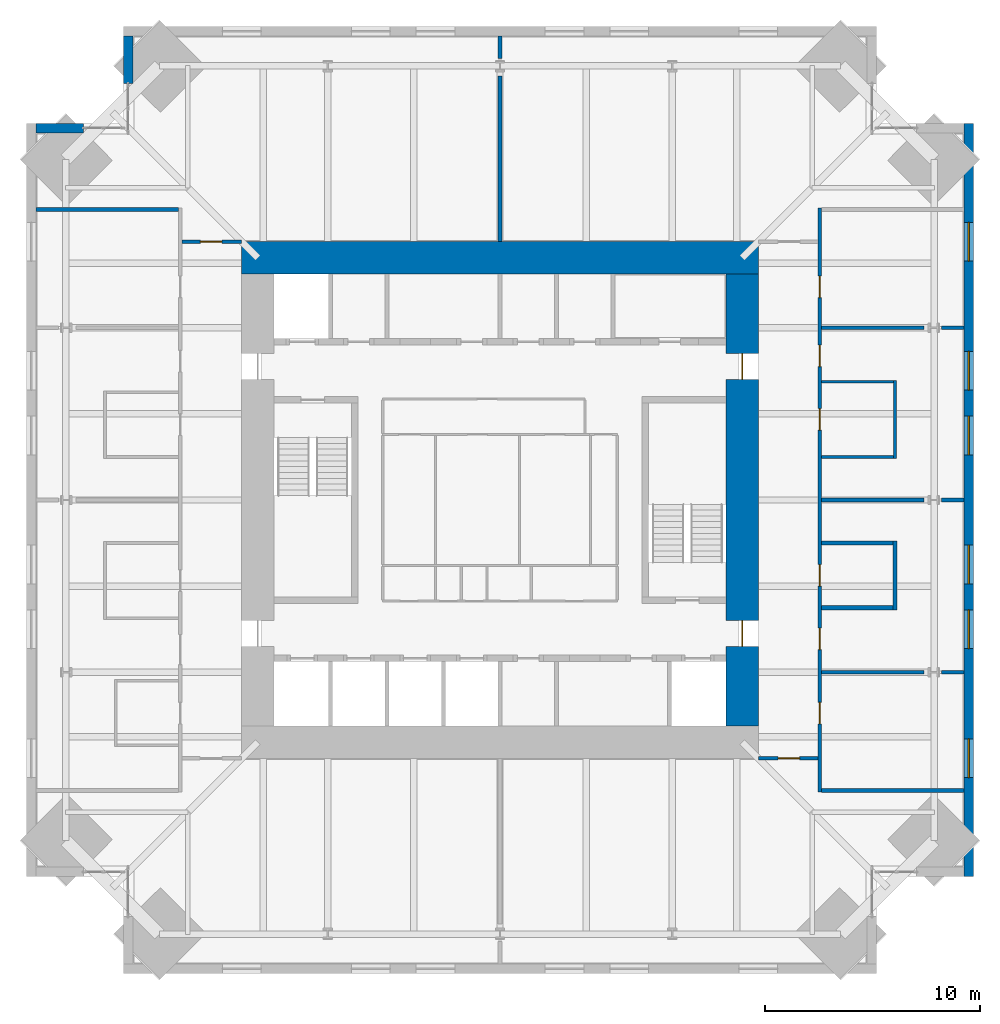
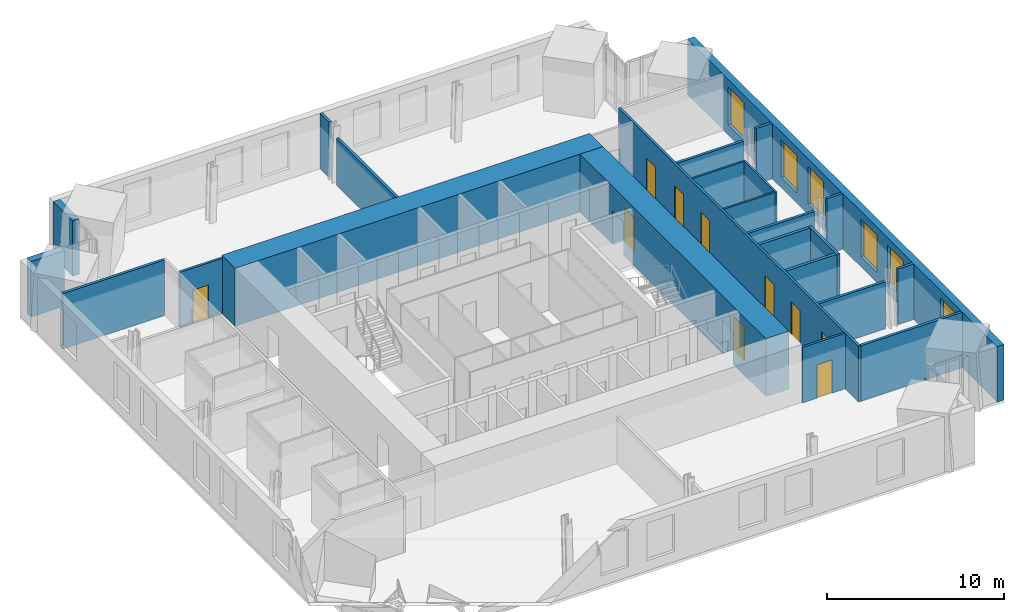
# One storey, part 14 of 16: 24 walls, 10 doors, 6 windows, 16 openings.
"""IFC4 building model written with IfcOpenShell, lengths in metres."""

from ifc_helpers import new_model, si_unit, direction, frame, frame_2d, origin, place, context, subcontext, project, spatial, rectangle, extrude, material, layer, layer_set, type_object, element, fill, save


model = new_model("IFC4")

# Units and contexts
model_context = context("Model", 3, precision=1e-05, world=origin(), true_north=direction((0.0, 1.0)))
body_context = subcontext(model_context, "Body", "Model", "MODEL_VIEW")
ifc_project = project(units=[si_unit("LENGTHUNIT", "METRE"), si_unit("AREAUNIT", "SQUARE_METRE"), si_unit("VOLUMEUNIT", "CUBIC_METRE"), si_unit("PLANEANGLEUNIT", "RADIAN"), si_unit("MASSUNIT", "GRAM", prefix="KILO")], contexts=[model_context])

# Site, building, storey
site_placement = place(None, origin())
site = spatial("IfcSite", under=ifc_project, at=site_placement, CompositionType="ELEMENT")
building_placement = place(site_placement, origin())
building = spatial("IfcBuilding", under=site, at=building_placement, Name="Peilmerk Tower", CompositionType="ELEMENT")
storey_placement = place(building_placement, frame((0.0, 0.0, 265.800048828125)))
storey = spatial("IfcBuildingStorey", under=building, at=storey_placement, Name="L59", CompositionType="ELEMENT", Elevation=265.800048828125)

# Wall, openings, windows
ifc_material_1 = material(Name="Precast concrete C45/55, board-marked finish", Category="concrete")
ifc_layer_1 = layer(ifc_material_1, 0.449951171875)
ifc_layer_set_1 = layer_set([ifc_layer_1], Name="Precast concrete C45/55, board-marked finish")
wall_type_1 = type_object("IfcWallType", Name="EW1 450 precast concrete facade wall, board-marked", PredefinedType="SOLIDWALL", material=ifc_layer_set_1)
wall_1_placement = place(storey_placement, frame((21.77490234375, -17.5, 0.0), z_axis=(0.0, 0.0, 1.0), x_axis=(0.0, 1.0, 0.0)))
wall_1 = element("IfcWall", 1, at=wall_1_placement, inside=storey, type_object=wall_type_1, Name="Facade wall E L59", PredefinedType="SOLIDWALL", context=body_context, shape_type="SweptSolid", body=[
    extrude(rectangle(XDim=35.0, YDim=0.449951171875, at=frame_2d((17.5, 0.0))), origin(), (0.0, 0.0, 1.0), 3.829833984375),
])
opening_1_placement = place(wall_1_placement, frame((4.60009765625, 0.0, 0.699951171875)))
opening_1 = element("IfcOpeningElement", 2, at=opening_1_placement, cuts=wall_1, Name="Opening W1", PredefinedType="OPENING", context=body_context, shape_type="SweptSolid", body=[
    extrude(rectangle(XDim=1.800048828125, YDim=2.60009765625, at=frame_2d((0.89990234375, 1.300048828125))), frame((0.0, 0.23486328125, 0.0), z_axis=(0.0, -1.0, 0.0), x_axis=(1.0, 0.0, 0.0)), (0.0, 0.0, 1.0), 0.469970703125),
])
opening_2_placement = place(wall_1_placement, frame((10.60009765625, 0.0, 0.699951171875)))
opening_2 = element("IfcOpeningElement", 3, at=opening_2_placement, cuts=wall_1, Name="Opening W1", PredefinedType="OPENING", context=body_context, shape_type="SweptSolid", body=[
    extrude(rectangle(XDim=1.800048828125, YDim=2.60009765625, at=frame_2d((0.89990234375, 1.300048828125))), frame((0.0, 0.23486328125, 0.0), z_axis=(0.0, -1.0, 0.0), x_axis=(1.0, 0.0, 0.0)), (0.0, 0.0, 1.0), 0.469970703125),
])
opening_3_placement = place(wall_1_placement, frame((13.60009765625, 0.0, 0.699951171875)))
opening_3 = element("IfcOpeningElement", 4, at=opening_3_placement, cuts=wall_1, Name="Opening W1", PredefinedType="OPENING", context=body_context, shape_type="SweptSolid", body=[
    extrude(rectangle(XDim=1.800048828125, YDim=2.60009765625, at=frame_2d((0.89990234375, 1.300048828125))), frame((0.0, 0.23486328125, 0.0), z_axis=(0.0, -1.0, 0.0), x_axis=(1.0, 0.0, 0.0)), (0.0, 0.0, 1.0), 0.469970703125),
])
opening_4_placement = place(wall_1_placement, frame((19.60009765625, 0.0, 0.699951171875)))
opening_4 = element("IfcOpeningElement", 5, at=opening_4_placement, cuts=wall_1, Name="Opening W1", PredefinedType="OPENING", context=body_context, shape_type="SweptSolid", body=[
    extrude(rectangle(XDim=1.800048828125, YDim=2.60009765625, at=frame_2d((0.89990234375, 1.300048828125))), frame((0.0, 0.23486328125, 0.0), z_axis=(0.0, -1.0, 0.0), x_axis=(1.0, 0.0, 0.0)), (0.0, 0.0, 1.0), 0.469970703125),
])
opening_5_placement = place(wall_1_placement, frame((22.60009765625, 0.0, 0.699951171875)))
opening_5 = element("IfcOpeningElement", 6, at=opening_5_placement, cuts=wall_1, Name="Opening W1", PredefinedType="OPENING", context=body_context, shape_type="SweptSolid", body=[
    extrude(rectangle(XDim=1.800048828125, YDim=2.60009765625, at=frame_2d((0.89990234375, 1.300048828125))), frame((0.0, 0.23486328125, 0.0), z_axis=(0.0, -1.0, 0.0), x_axis=(1.0, 0.0, 0.0)), (0.0, 0.0, 1.0), 0.469970703125),
])
opening_6_placement = place(wall_1_placement, frame((28.60009765625, 0.0, 0.699951171875)))
opening_6 = element("IfcOpeningElement", 7, at=opening_6_placement, cuts=wall_1, Name="Opening W1", PredefinedType="OPENING", context=body_context, shape_type="SweptSolid", body=[
    extrude(rectangle(XDim=1.800048828125, YDim=2.60009765625, at=frame_2d((0.89990234375, 1.300048828125))), frame((0.0, 0.23486328125, 0.0), z_axis=(0.0, -1.0, 0.0), x_axis=(1.0, 0.0, 0.0)), (0.0, 0.0, 1.0), 0.469970703125),
])
ifc_material_2 = material(Name="Aluminium frame, clear double glazing", Category="aluminium")
window_type = type_object("IfcWindowType", Name="W1 1800x2600 office window", PartitioningType="SINGLE_PANEL", PredefinedType="WINDOW", material=ifc_material_2)
window_1_placement = place(opening_1_placement, origin())
window_1 = element("IfcWindow", 8, at=window_1_placement, inside=storey, type_object=window_type, Name="Window W1 L59", OverallHeight=2.60009765625, OverallWidth=1.800048828125, PartitioningType="SINGLE_PANEL", PredefinedType="WINDOW", context=body_context, shape_type="SweptSolid", body=[
    extrude(rectangle(XDim=1.800048828125, YDim=2.60009765625, at=frame_2d((0.89990234375, 1.300048828125))), frame((0.0, 0.030029296875, 0.0), z_axis=(0.0, -1.0, 0.0), x_axis=(1.0, 0.0, 0.0)), (0.0, 0.0, 1.0), 0.06005859375),
])
fill(opening_1, window_1)
window_2_placement = place(opening_2_placement, origin())
window_2 = element("IfcWindow", 9, at=window_2_placement, inside=storey, type_object=window_type, Name="Window W1 L59", OverallHeight=2.60009765625, OverallWidth=1.800048828125, PartitioningType="SINGLE_PANEL", PredefinedType="WINDOW", context=body_context, shape_type="SweptSolid", body=[
    extrude(rectangle(XDim=1.800048828125, YDim=2.60009765625, at=frame_2d((0.89990234375, 1.300048828125))), frame((0.0, 0.030029296875, 0.0), z_axis=(0.0, -1.0, 0.0), x_axis=(1.0, 0.0, 0.0)), (0.0, 0.0, 1.0), 0.06005859375),
])
fill(opening_2, window_2)
window_3_placement = place(opening_3_placement, origin())
window_3 = element("IfcWindow", 10, at=window_3_placement, inside=storey, type_object=window_type, Name="Window W1 L59", OverallHeight=2.60009765625, OverallWidth=1.800048828125, PartitioningType="SINGLE_PANEL", PredefinedType="WINDOW", context=body_context, shape_type="SweptSolid", body=[
    extrude(rectangle(XDim=1.800048828125, YDim=2.60009765625, at=frame_2d((0.89990234375, 1.300048828125))), frame((0.0, 0.030029296875, 0.0), z_axis=(0.0, -1.0, 0.0), x_axis=(1.0, 0.0, 0.0)), (0.0, 0.0, 1.0), 0.06005859375),
])
fill(opening_3, window_3)
window_4_placement = place(opening_4_placement, origin())
window_4 = element("IfcWindow", 11, at=window_4_placement, inside=storey, type_object=window_type, Name="Window W1 L59", OverallHeight=2.60009765625, OverallWidth=1.800048828125, PartitioningType="SINGLE_PANEL", PredefinedType="WINDOW", context=body_context, shape_type="SweptSolid", body=[
    extrude(rectangle(XDim=1.800048828125, YDim=2.60009765625, at=frame_2d((0.89990234375, 1.300048828125))), frame((0.0, 0.030029296875, 0.0), z_axis=(0.0, -1.0, 0.0), x_axis=(1.0, 0.0, 0.0)), (0.0, 0.0, 1.0), 0.06005859375),
])
fill(opening_4, window_4)
window_5_placement = place(opening_5_placement, origin())
window_5 = element("IfcWindow", 12, at=window_5_placement, inside=storey, type_object=window_type, Name="Window W1 L59", OverallHeight=2.60009765625, OverallWidth=1.800048828125, PartitioningType="SINGLE_PANEL", PredefinedType="WINDOW", context=body_context, shape_type="SweptSolid", body=[
    extrude(rectangle(XDim=1.800048828125, YDim=2.60009765625, at=frame_2d((0.89990234375, 1.300048828125))), frame((0.0, 0.030029296875, 0.0), z_axis=(0.0, -1.0, 0.0), x_axis=(1.0, 0.0, 0.0)), (0.0, 0.0, 1.0), 0.06005859375),
])
fill(opening_5, window_5)
window_6_placement = place(opening_6_placement, origin())
window_6 = element("IfcWindow", 13, at=window_6_placement, inside=storey, type_object=window_type, Name="Window W1 L59", OverallHeight=2.60009765625, OverallWidth=1.800048828125, PartitioningType="SINGLE_PANEL", PredefinedType="WINDOW", context=body_context, shape_type="SweptSolid", body=[
    extrude(rectangle(XDim=1.800048828125, YDim=2.60009765625, at=frame_2d((0.89990234375, 1.300048828125))), frame((0.0, 0.030029296875, 0.0), z_axis=(0.0, -1.0, 0.0), x_axis=(1.0, 0.0, 0.0)), (0.0, 0.0, 1.0), 0.06005859375),
])
fill(opening_6, window_6)

# Walls
for number, where, z_axis, x_axis, name in (
    (14, (-17.27490234375, 19.353759765625, 0.0), (0.0, 0.0, 1.0), (0.0, 1.0, 0.0), "Facade wall NWA L59"),
    (15, (-19.353759765625, 17.27490234375, 0.0), (0.0, 0.0, 1.0), (-1.0, 0.0, 0.0), "Facade wall NWB L59"),
):
    element("IfcWall", number, at=place(storey_placement, frame(where, z_axis=z_axis, x_axis=x_axis)), inside=storey, type_object=wall_type_1, Name=name, PredefinedType="SOLIDWALL", context=body_context, shape_type="SweptSolid", body=[
        extrude(rectangle(XDim=2.1962890625, YDim=0.449951171875, at=frame_2d((1.09814453125, 0.0))), origin(), (0.0, 0.0, 1.0), 3.829833984375),
    ])

# Wall, openings, doors
ifc_material_3 = material(Name="Calcium silicate block", Category="masonry")
ifc_layer_2 = layer(ifc_material_3, 0.14990234375)
ifc_layer_set_2 = layer_set([ifc_layer_2], Name="Calcium silicate block")
wall_type_2 = type_object("IfcWallType", Name="IW1 150 corridor partition, EI 60", PredefinedType="PARTITIONING", material=ifc_layer_set_2)
wall_2_placement = place(storey_placement, frame((14.85009765625, -13.574951171875, 0.0), z_axis=(0.0, 0.0, 1.0), x_axis=(0.0, 1.0, 0.0)))
wall_2 = element("IfcWall", 16, at=wall_2_placement, inside=storey, type_object=wall_type_2, Name="Corridor wall E L59", PredefinedType="PARTITIONING", context=body_context, shape_type="SweptSolid", body=[
    extrude(rectangle(XDim=27.14990234375, YDim=0.14990234375, at=frame_2d((13.574951171875, 0.0))), origin(), (0.0, 0.0, 1.0), 3.829833984375),
])
opening_7_placement = place(wall_2_placement, frame((3.175048828125, 0.0, 0.0)))
opening_7 = element("IfcOpeningElement", 17, at=opening_7_placement, cuts=wall_2, Name="Opening D1", PredefinedType="OPENING", context=body_context, shape_type="SweptSolid", body=[
    extrude(rectangle(XDim=1.0, YDim=2.300048828125, at=frame_2d((0.5, 1.14990234375))), frame((0.0, 0.0849609375, 0.0), z_axis=(0.0, -1.0, 0.0), x_axis=(1.0, 0.0, 0.0)), (0.0, 0.0, 1.0), 0.169921875),
])
opening_8_placement = place(wall_2_placement, frame((6.625, 0.0, 0.0)))
opening_8 = element("IfcOpeningElement", 18, at=opening_8_placement, cuts=wall_2, Name="Opening D1", PredefinedType="OPENING", context=body_context, shape_type="SweptSolid", body=[
    extrude(rectangle(XDim=1.0, YDim=2.300048828125, at=frame_2d((0.5, 1.14990234375))), frame((0.0, 0.0849609375, 0.0), z_axis=(0.0, -1.0, 0.0), x_axis=(1.0, 0.0, 0.0)), (0.0, 0.0, 1.0), 0.169921875),
])
opening_9_placement = place(wall_2_placement, frame((19.77490234375, 0.0, 0.0)))
opening_9 = element("IfcOpeningElement", 19, at=opening_9_placement, cuts=wall_2, Name="Opening D1", PredefinedType="OPENING", context=body_context, shape_type="SweptSolid", body=[
    extrude(rectangle(XDim=1.0, YDim=2.300048828125, at=frame_2d((0.5, 1.14990234375))), frame((0.0, 0.0849609375, 0.0), z_axis=(0.0, -1.0, 0.0), x_axis=(1.0, 0.0, 0.0)), (0.0, 0.0, 1.0), 0.169921875),
])
opening_10_placement = place(wall_2_placement, frame((22.97509765625, 0.0, 0.0)))
opening_10 = element("IfcOpeningElement", 20, at=opening_10_placement, cuts=wall_2, Name="Opening D1", PredefinedType="OPENING", context=body_context, shape_type="SweptSolid", body=[
    extrude(rectangle(XDim=1.0, YDim=2.300048828125, at=frame_2d((0.5, 1.14990234375))), frame((0.0, 0.0849609375, 0.0), z_axis=(0.0, -1.0, 0.0), x_axis=(1.0, 0.0, 0.0)), (0.0, 0.0, 1.0), 0.169921875),
])
opening_11_placement = place(wall_2_placement, frame((16.824951171875, 0.0, 0.0)))
opening_11 = element("IfcOpeningElement", 21, at=opening_11_placement, cuts=wall_2, Name="Opening D1", PredefinedType="OPENING", context=body_context, shape_type="SweptSolid", body=[
    extrude(rectangle(XDim=1.0, YDim=2.300048828125, at=frame_2d((0.5, 1.14990234375))), frame((0.0, 0.0849609375, 0.0), z_axis=(0.0, -1.0, 0.0), x_axis=(1.0, 0.0, 0.0)), (0.0, 0.0, 1.0), 0.169921875),
])
opening_12_placement = place(wall_2_placement, frame((9.574951171875, 0.0, 0.0)))
opening_12 = element("IfcOpeningElement", 22, at=opening_12_placement, cuts=wall_2, Name="Opening D1", PredefinedType="OPENING", context=body_context, shape_type="SweptSolid", body=[
    extrude(rectangle(XDim=1.0, YDim=2.300048828125, at=frame_2d((0.5, 1.14990234375))), frame((0.0, 0.0849609375, 0.0), z_axis=(0.0, -1.0, 0.0), x_axis=(1.0, 0.0, 0.0)), (0.0, 0.0, 1.0), 0.169921875),
])
ifc_material_4 = material(Name="Timber door in steel frame", Category="steel")
door_type_1 = type_object("IfcDoorType", Name="D1 1000x2300 room door, EI2 30", OperationType="SINGLE_SWING_LEFT", PredefinedType="DOOR", material=ifc_material_4)
door_1_placement = place(opening_7_placement, frame((1.0, 0.0, 0.0), z_axis=(0.0, 0.0, 1.0), x_axis=(-1.0, 0.0, 0.0)))
door_1 = element("IfcDoor", 23, at=door_1_placement, inside=storey, type_object=door_type_1, Name="Door Office L59", OperationType="SINGLE_SWING_LEFT", OverallHeight=2.300048828125, OverallWidth=1.0, PredefinedType="DOOR", context=body_context, shape_type="SweptSolid", body=[
    extrude(rectangle(XDim=1.0, YDim=2.300048828125, at=frame_2d((0.5, 1.14990234375))), frame((0.0, 0.02490234375, 0.0), z_axis=(0.0, -1.0, 0.0), x_axis=(1.0, 0.0, 0.0)), (0.0, 0.0, 1.0), 0.050048828125),
])
fill(opening_7, door_1)
door_2_placement = place(opening_8_placement, frame((1.0, 0.0, 0.0), z_axis=(0.0, 0.0, 1.0), x_axis=(-1.0, 0.0, 0.0)))
door_2 = element("IfcDoor", 24, at=door_2_placement, inside=storey, type_object=door_type_1, Name="Door Office L59", OperationType="SINGLE_SWING_LEFT", OverallHeight=2.300048828125, OverallWidth=1.0, PredefinedType="DOOR", context=body_context, shape_type="SweptSolid", body=[
    extrude(rectangle(XDim=1.0, YDim=2.300048828125, at=frame_2d((0.5, 1.14990234375))), frame((0.0, 0.02490234375, 0.0), z_axis=(0.0, -1.0, 0.0), x_axis=(1.0, 0.0, 0.0)), (0.0, 0.0, 1.0), 0.050048828125),
])
fill(opening_8, door_2)
door_3_placement = place(opening_9_placement, frame((1.0, 0.0, 0.0), z_axis=(0.0, 0.0, 1.0), x_axis=(-1.0, 0.0, 0.0)))
door_3 = element("IfcDoor", 25, at=door_3_placement, inside=storey, type_object=door_type_1, Name="Door Office L59", OperationType="SINGLE_SWING_LEFT", OverallHeight=2.300048828125, OverallWidth=1.0, PredefinedType="DOOR", context=body_context, shape_type="SweptSolid", body=[
    extrude(rectangle(XDim=1.0, YDim=2.300048828125, at=frame_2d((0.5, 1.14990234375))), frame((0.0, 0.02490234375, 0.0), z_axis=(0.0, -1.0, 0.0), x_axis=(1.0, 0.0, 0.0)), (0.0, 0.0, 1.0), 0.050048828125),
])
fill(opening_9, door_3)
door_4_placement = place(opening_10_placement, frame((1.0, 0.0, 0.0), z_axis=(0.0, 0.0, 1.0), x_axis=(-1.0, 0.0, 0.0)))
door_4 = element("IfcDoor", 26, at=door_4_placement, inside=storey, type_object=door_type_1, Name="Door Office L59", OperationType="SINGLE_SWING_LEFT", OverallHeight=2.300048828125, OverallWidth=1.0, PredefinedType="DOOR", context=body_context, shape_type="SweptSolid", body=[
    extrude(rectangle(XDim=1.0, YDim=2.300048828125, at=frame_2d((0.5, 1.14990234375))), frame((0.0, 0.02490234375, 0.0), z_axis=(0.0, -1.0, 0.0), x_axis=(1.0, 0.0, 0.0)), (0.0, 0.0, 1.0), 0.050048828125),
])
fill(opening_10, door_4)
door_5_placement = place(opening_11_placement, frame((1.0, 0.0, 0.0), z_axis=(0.0, 0.0, 1.0), x_axis=(-1.0, 0.0, 0.0)))
door_5 = element("IfcDoor", 27, at=door_5_placement, inside=storey, type_object=door_type_1, Name="Door Meeting room L59", OperationType="SINGLE_SWING_LEFT", OverallHeight=2.300048828125, OverallWidth=1.0, PredefinedType="DOOR", context=body_context, shape_type="SweptSolid", body=[
    extrude(rectangle(XDim=1.0, YDim=2.300048828125, at=frame_2d((0.5, 1.14990234375))), frame((0.0, 0.02490234375, 0.0), z_axis=(0.0, -1.0, 0.0), x_axis=(1.0, 0.0, 0.0)), (0.0, 0.0, 1.0), 0.050048828125),
])
fill(opening_11, door_5)
door_6_placement = place(opening_12_placement, frame((1.0, 0.0, 0.0), z_axis=(0.0, 0.0, 1.0), x_axis=(-1.0, 0.0, 0.0)))
door_6 = element("IfcDoor", 28, at=door_6_placement, inside=storey, type_object=door_type_1, Name="Door Wellness room L59", OperationType="SINGLE_SWING_LEFT", OverallHeight=2.300048828125, OverallWidth=1.0, PredefinedType="DOOR", context=body_context, shape_type="SweptSolid", body=[
    extrude(rectangle(XDim=1.0, YDim=2.300048828125, at=frame_2d((0.5, 1.14990234375))), frame((0.0, 0.02490234375, 0.0), z_axis=(0.0, -1.0, 0.0), x_axis=(1.0, 0.0, 0.0)), (0.0, 0.0, 1.0), 0.050048828125),
])
fill(opening_12, door_6)

# Wall, opening, door
wall_3_placement = place(storey_placement, frame((-14.77490234375, 12.0, 0.0), z_axis=(0.0, 0.0, 1.0), x_axis=(1.0, 0.0, 0.0)))
wall_3 = element("IfcWall", 29, at=wall_3_placement, inside=storey, type_object=wall_type_2, Name="Corridor wall NW L59", PredefinedType="PARTITIONING", context=body_context, shape_type="SweptSolid", body=[
    extrude(rectangle(XDim=2.77490234375, YDim=0.14990234375, at=frame_2d((1.387451171875, 0.0))), origin(), (0.0, 0.0, 1.0), 3.829833984375),
])
opening_13_placement = place(wall_3_placement, frame((0.85009765625, 0.0, 0.0)))
opening_13 = element("IfcOpeningElement", 30, at=opening_13_placement, cuts=wall_3, Name="Opening D1", PredefinedType="OPENING", context=body_context, shape_type="SweptSolid", body=[
    extrude(rectangle(XDim=1.0, YDim=2.300048828125, at=frame_2d((0.5, 1.14990234375))), frame((0.0, 0.0849609375, 0.0), z_axis=(0.0, -1.0, 0.0), x_axis=(1.0, 0.0, 0.0)), (0.0, 0.0, 1.0), 0.169921875),
])
door_7_placement = place(opening_13_placement, origin())
door_7 = element("IfcDoor", 31, at=door_7_placement, inside=storey, type_object=door_type_1, Name="Door Office L59", OperationType="SINGLE_SWING_LEFT", OverallHeight=2.300048828125, OverallWidth=1.0, PredefinedType="DOOR", context=body_context, shape_type="SweptSolid", body=[
    extrude(rectangle(XDim=1.0, YDim=2.300048828125, at=frame_2d((0.5, 1.14990234375))), frame((0.0, 0.02490234375, 0.0), z_axis=(0.0, -1.0, 0.0), x_axis=(1.0, 0.0, 0.0)), (0.0, 0.0, 1.0), 0.050048828125),
])
fill(opening_13, door_7)

wall_4_placement = place(storey_placement, frame((14.77490234375, -12.0, 0.0), z_axis=(0.0, 0.0, 1.0), x_axis=(-1.0, 0.0, 0.0)))
wall_4 = element("IfcWall", 32, at=wall_4_placement, inside=storey, type_object=wall_type_2, Name="Corridor wall SE L59", PredefinedType="PARTITIONING", context=body_context, shape_type="SweptSolid", body=[
    extrude(rectangle(XDim=2.77490234375, YDim=0.14990234375, at=frame_2d((1.387451171875, 0.0))), origin(), (0.0, 0.0, 1.0), 3.829833984375),
])
opening_14_placement = place(wall_4_placement, frame((0.85009765625, 0.0, 0.0)))
opening_14 = element("IfcOpeningElement", 33, at=opening_14_placement, cuts=wall_4, Name="Opening D1", PredefinedType="OPENING", context=body_context, shape_type="SweptSolid", body=[
    extrude(rectangle(XDim=1.0, YDim=2.300048828125, at=frame_2d((0.5, 1.14990234375))), frame((0.0, 0.0849609375, 0.0), z_axis=(0.0, -1.0, 0.0), x_axis=(1.0, 0.0, 0.0)), (0.0, 0.0, 1.0), 0.169921875),
])
door_8_placement = place(opening_14_placement, origin())
door_8 = element("IfcDoor", 34, at=door_8_placement, inside=storey, type_object=door_type_1, Name="Door Office L59", OperationType="SINGLE_SWING_LEFT", OverallHeight=2.300048828125, OverallWidth=1.0, PredefinedType="DOOR", context=body_context, shape_type="SweptSolid", body=[
    extrude(rectangle(XDim=1.0, YDim=2.300048828125, at=frame_2d((0.5, 1.14990234375))), frame((0.0, 0.02490234375, 0.0), z_axis=(0.0, -1.0, 0.0), x_axis=(1.0, 0.0, 0.0)), (0.0, 0.0, 1.0), 0.050048828125),
])
fill(opening_14, door_8)

# Walls
ifc_layer_3 = layer(ifc_material_3, 0.199951171875)
ifc_layer_set_3 = layer_set([ifc_layer_3], Name="Calcium silicate block")
wall_type_3 = type_object("IfcWallType", Name="IW2 200 room separating wall, EI 120", PredefinedType="PARTITIONING", material=ifc_layer_set_3)
wall_5_placement = place(storey_placement, frame((18.35009765625, -5.10009765625, 0.0), z_axis=(0.0, 0.0, 1.0), x_axis=(0.0, 1.0, 0.0)))
element("IfcWall", 35, at=wall_5_placement, inside=storey, type_object=wall_type_3, Name="Room separating wall Wellness room L59", PredefinedType="PARTITIONING", context=body_context, shape_type="SweptSolid", body=[
    extrude(rectangle(XDim=3.2001953125, YDim=0.199951171875, at=frame_2d((1.60009765625, 0.0))), origin(), (0.0, 0.0, 1.0), 3.829833984375),
])
for number, where, z_axis, x_axis, name in (
    (36, (14.925048828125, -5.0, 0.0), (0.0, 0.0, 1.0), (1.0, 0.0, 0.0), "Room separating wall Wellness room L59"),
    (37, (14.925048828125, -2.0, 0.0), (0.0, 0.0, 1.0), (1.0, 0.0, 0.0), "Room separating wall Wellness room L59"),
):
    element("IfcWall", number, at=place(storey_placement, frame(where, z_axis=z_axis, x_axis=x_axis)), inside=storey, type_object=wall_type_3, Name=name, PredefinedType="PARTITIONING", context=body_context, shape_type="SweptSolid", body=[
        extrude(rectangle(XDim=3.324951171875, YDim=0.199951171875, at=frame_2d((1.66259765625, 0.0))), origin(), (0.0, 0.0, 1.0), 3.829833984375),
    ])
ifc_material_5 = material(Name="Plasterboard on steel studs, double boarded with mineral wool", Category="steel")
ifc_layer_4 = layer(ifc_material_5, 0.125)
ifc_layer_set_4 = layer_set([ifc_layer_4], Name="Plasterboard on steel studs, double boarded with mineral wool")
wall_type_4 = type_object("IfcWallType", Name="IW7 125 acoustic partition, EI 30", PredefinedType="PARTITIONING", material=ifc_layer_set_4)
wall_6_placement = place(storey_placement, frame((18.35009765625, 1.9375, 0.0), z_axis=(0.0, 0.0, 1.0), x_axis=(0.0, 1.0, 0.0)))
element("IfcWall", 38, at=wall_6_placement, inside=storey, type_object=wall_type_4, Name="Acoustic partition Meeting room L59", PredefinedType="PARTITIONING", context=body_context, shape_type="SweptSolid", body=[
    extrude(rectangle(XDim=3.625, YDim=0.125, at=frame_2d((1.8125, 0.0))), origin(), (0.0, 0.0, 1.0), 3.829833984375),
])
for number, where, z_axis, x_axis, name in (
    (39, (14.925048828125, 2.0, 0.0), (0.0, 0.0, 1.0), (1.0, 0.0, 0.0), "Acoustic partition Meeting room L59"),
    (40, (14.925048828125, 5.5, 0.0), (0.0, 0.0, 1.0), (1.0, 0.0, 0.0), "Acoustic partition Meeting room L59"),
):
    element("IfcWall", number, at=place(storey_placement, frame(where, z_axis=z_axis, x_axis=x_axis)), inside=storey, type_object=wall_type_4, Name=name, PredefinedType="PARTITIONING", context=body_context, shape_type="SweptSolid", body=[
        extrude(rectangle(XDim=3.362548828125, YDim=0.125, at=frame_2d((1.68115234375, 0.0))), origin(), (0.0, 0.0, 1.0), 3.829833984375),
    ])
ifc_layer_5 = layer(ifc_material_3, 0.175048828125)
ifc_layer_set_5 = layer_set([ifc_layer_5], Name="Calcium silicate block")
wall_type_5 = type_object("IfcWallType", Name="IW8 175 tenant separating wall, EI 60", PredefinedType="PARTITIONING", material=ifc_layer_set_5)
for number, where, z_axis, x_axis, name in (
    (41, (-21.550048828125, 13.5, 0.0), (0.0, 0.0, 1.0), (1.0, 0.0, 0.0), "Tenant separating wall NW L59"),
    (42, (21.550048828125, -13.5, 0.0), (0.0, 0.0, 1.0), (-1.0, 0.0, 0.0), "Tenant separating wall SE L59"),
):
    element("IfcWall", number, at=place(storey_placement, frame(where, z_axis=z_axis, x_axis=x_axis)), inside=storey, type_object=wall_type_5, Name=name, PredefinedType="PARTITIONING", context=body_context, shape_type="SweptSolid", body=[
        extrude(rectangle(XDim=6.625, YDim=0.175048828125, at=frame_2d((3.3125, 0.0))), origin(), (0.0, 0.0, 1.0), 3.829833984375),
    ])
wall_7_placement = place(storey_placement, frame((0.0, 12.0, 0.0), z_axis=(0.0, 0.0, 1.0), x_axis=(0.0, 1.0, 0.0)))
element("IfcWall", 43, at=wall_7_placement, inside=storey, type_object=wall_type_5, Name="Tenant separating wall N1 L59", PredefinedType="PARTITIONING", context=body_context, shape_type="SweptSolid", body=[
    extrude(rectangle(XDim=7.68798828125, YDim=0.175048828125, at=frame_2d((3.843994140625, 0.0))), origin(), (0.0, 0.0, 1.0), 3.239990234375),
])
wall_8_placement = place(storey_placement, frame((0.0, 20.508544921875, 0.0), z_axis=(0.0, 0.0, 1.0), x_axis=(0.0, 1.0, 0.0)))
element("IfcWall", 44, at=wall_8_placement, inside=storey, type_object=wall_type_5, Name="Tenant separating wall N1b L59", PredefinedType="PARTITIONING", context=body_context, shape_type="SweptSolid", body=[
    extrude(rectangle(XDim=1.04150390625, YDim=0.175048828125, at=frame_2d((0.520751953125, 0.0))), origin(), (0.0, 0.0, 1.0), 3.829833984375),
])
wall_9_placement = place(storey_placement, frame((14.925048828125, -8.0, 0.0), z_axis=(0.0, 0.0, 1.0), x_axis=(1.0, 0.0, 0.0)))
element("IfcWall", 45, at=wall_9_placement, inside=storey, type_object=wall_type_5, Name="Tenant separating wall E1 L59", PredefinedType="PARTITIONING", context=body_context, shape_type="SweptSolid", body=[
    extrude(rectangle(XDim=4.762939453125, YDim=0.175048828125, at=frame_2d((2.38134765625, 0.0))), origin(), (0.0, 0.0, 1.0), 3.239990234375),
])
wall_10_placement = place(storey_placement, frame((20.508544921875, -8.0, 0.0), z_axis=(0.0, 0.0, 1.0), x_axis=(1.0, 0.0, 0.0)))
element("IfcWall", 46, at=wall_10_placement, inside=storey, type_object=wall_type_5, Name="Tenant separating wall E1b L59", PredefinedType="PARTITIONING", context=body_context, shape_type="SweptSolid", body=[
    extrude(rectangle(XDim=1.04150390625, YDim=0.175048828125, at=frame_2d((0.520751953125, 0.0))), origin(), (0.0, 0.0, 1.0), 3.829833984375),
])
wall_11_placement = place(storey_placement, frame((14.925048828125, 0.0, 0.0), z_axis=(0.0, 0.0, 1.0), x_axis=(1.0, 0.0, 0.0)))
element("IfcWall", 47, at=wall_11_placement, inside=storey, type_object=wall_type_5, Name="Tenant separating wall E2 L59", PredefinedType="PARTITIONING", context=body_context, shape_type="SweptSolid", body=[
    extrude(rectangle(XDim=4.762939453125, YDim=0.175048828125, at=frame_2d((2.38134765625, 0.0))), origin(), (0.0, 0.0, 1.0), 3.239990234375),
])
wall_12_placement = place(storey_placement, frame((20.508544921875, 0.0, 0.0), z_axis=(0.0, 0.0, 1.0), x_axis=(1.0, 0.0, 0.0)))
element("IfcWall", 48, at=wall_12_placement, inside=storey, type_object=wall_type_5, Name="Tenant separating wall E2b L59", PredefinedType="PARTITIONING", context=body_context, shape_type="SweptSolid", body=[
    extrude(rectangle(XDim=1.04150390625, YDim=0.175048828125, at=frame_2d((0.520751953125, 0.0))), origin(), (0.0, 0.0, 1.0), 3.829833984375),
])
wall_13_placement = place(storey_placement, frame((14.925048828125, 8.0, 0.0), z_axis=(0.0, 0.0, 1.0), x_axis=(1.0, 0.0, 0.0)))
element("IfcWall", 49, at=wall_13_placement, inside=storey, type_object=wall_type_5, Name="Tenant separating wall E3 L59", PredefinedType="PARTITIONING", context=body_context, shape_type="SweptSolid", body=[
    extrude(rectangle(XDim=4.762939453125, YDim=0.175048828125, at=frame_2d((2.38134765625, 0.0))), origin(), (0.0, 0.0, 1.0), 3.239990234375),
])
wall_14_placement = place(storey_placement, frame((20.508544921875, 8.0, 0.0), z_axis=(0.0, 0.0, 1.0), x_axis=(1.0, 0.0, 0.0)))
element("IfcWall", 50, at=wall_14_placement, inside=storey, type_object=wall_type_5, Name="Tenant separating wall E3b L59", PredefinedType="PARTITIONING", context=body_context, shape_type="SweptSolid", body=[
    extrude(rectangle(XDim=1.04150390625, YDim=0.175048828125, at=frame_2d((0.520751953125, 0.0))), origin(), (0.0, 0.0, 1.0), 3.829833984375),
])
ifc_material_6 = material(Name="Concrete C55/67", Category="concrete")
ifc_layer_6 = layer(ifc_material_6, 1.5)
ifc_layer_set_6 = layer_set([ifc_layer_6], Name="Concrete C55/67")
wall_type_6 = type_object("IfcWallType", Name="SW1 1500 core wall", PredefinedType="SHEAR", material=ifc_layer_set_6)
wall_15_placement = place(storey_placement, frame((-12.0, 11.25, 0.0), z_axis=(0.0, 0.0, 1.0), x_axis=(1.0, 0.0, 0.0)))
element("IfcWall", 51, at=wall_15_placement, inside=storey, type_object=wall_type_6, Name="Core wall N L59", PredefinedType="SHEAR", context=body_context, shape_type="SweptSolid", body=[
    extrude(rectangle(XDim=24.0, YDim=1.5, at=frame_2d((12.0, 0.0))), origin(), (0.0, 0.0, 1.0), 4.0),
])

# Wall, openings, doors
wall_16_placement = place(storey_placement, frame((11.25, 10.5, 0.0), z_axis=(0.0, 0.0, 1.0), x_axis=(0.0, -1.0, 0.0)))
wall_16 = element("IfcWall", 52, at=wall_16_placement, inside=storey, type_object=wall_type_6, Name="Core wall E L59", PredefinedType="SHEAR", context=body_context, shape_type="SweptSolid", body=[
    extrude(rectangle(XDim=21.0, YDim=1.5, at=frame_2d((10.5, 0.0))), origin(), (0.0, 0.0, 1.0), 4.0),
])
opening_15_placement = place(wall_16_placement, frame((3.699951171875, 0.0, 0.0)))
opening_15 = element("IfcOpeningElement", 53, at=opening_15_placement, cuts=wall_16, Name="Opening D3", PredefinedType="OPENING", context=body_context, shape_type="SweptSolid", body=[
    extrude(rectangle(XDim=1.199951171875, YDim=2.300048828125, at=frame_2d((0.60009765625, 1.14990234375))), frame((0.0, 0.760009765625, 0.0), z_axis=(0.0, -1.0, 0.0), x_axis=(1.0, 0.0, 0.0)), (0.0, 0.0, 1.0), 1.52001953125),
])
opening_16_placement = place(wall_16_placement, frame((16.10009765625, 0.0, 0.0)))
opening_16 = element("IfcOpeningElement", 54, at=opening_16_placement, cuts=wall_16, Name="Opening D3", PredefinedType="OPENING", context=body_context, shape_type="SweptSolid", body=[
    extrude(rectangle(XDim=1.199951171875, YDim=2.300048828125, at=frame_2d((0.60009765625, 1.14990234375))), frame((0.0, 0.760009765625, 0.0), z_axis=(0.0, -1.0, 0.0), x_axis=(1.0, 0.0, 0.0)), (0.0, 0.0, 1.0), 1.52001953125),
])
ifc_material_7 = material(Name="Steel door in steel frame", Category="steel")
door_type_2 = type_object("IfcDoorType", Name="D3 1200x2300 core door, EI2 60", OperationType="SINGLE_SWING_LEFT", PredefinedType="DOOR", material=ifc_material_7)
door_9_placement = place(opening_15_placement, frame((1.199951171875, 0.0, 0.0), z_axis=(0.0, 0.0, 1.0), x_axis=(-1.0, 0.0, 0.0)))
door_9 = element("IfcDoor", 55, at=door_9_placement, inside=storey, type_object=door_type_2, Name="Core door L59", OperationType="SINGLE_SWING_LEFT", OverallHeight=2.300048828125, OverallWidth=1.199951171875, PredefinedType="DOOR", context=body_context, shape_type="SweptSolid", body=[
    extrude(rectangle(XDim=1.199951171875, YDim=2.300048828125, at=frame_2d((0.60009765625, 1.14990234375))), frame((0.0, 0.02490234375, 0.0), z_axis=(0.0, -1.0, 0.0), x_axis=(1.0, 0.0, 0.0)), (0.0, 0.0, 1.0), 0.050048828125),
])
fill(opening_15, door_9)
door_10_placement = place(opening_16_placement, frame((1.199951171875, 0.0, 0.0), z_axis=(0.0, 0.0, 1.0), x_axis=(-1.0, 0.0, 0.0)))
door_10 = element("IfcDoor", 56, at=door_10_placement, inside=storey, type_object=door_type_2, Name="Core door L59", OperationType="SINGLE_SWING_LEFT", OverallHeight=2.300048828125, OverallWidth=1.199951171875, PredefinedType="DOOR", context=body_context, shape_type="SweptSolid", body=[
    extrude(rectangle(XDim=1.199951171875, YDim=2.300048828125, at=frame_2d((0.60009765625, 1.14990234375))), frame((0.0, 0.02490234375, 0.0), z_axis=(0.0, -1.0, 0.0), x_axis=(1.0, 0.0, 0.0)), (0.0, 0.0, 1.0), 0.050048828125),
])
fill(opening_16, door_10)

save(model, "model.ifc")
